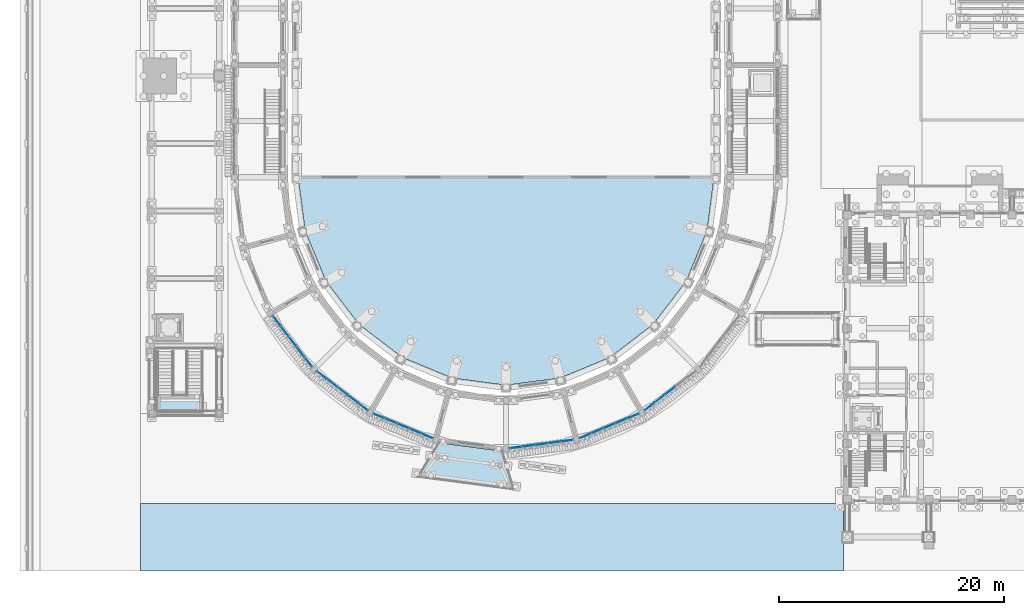
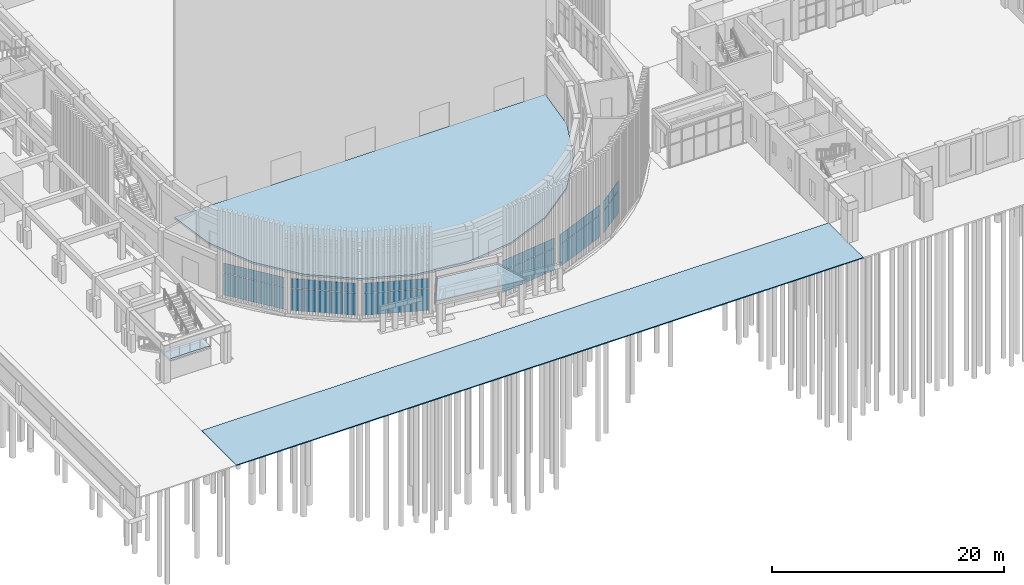
# One storey, part 46 of 112: 56 plates, 4 slabs, 7 elements without a shape of their own.
"""IFC4 building model written with IfcOpenShell, lengths in metres."""

from ifc_helpers import new_model, si_unit, direction, frame, origin, origin_2d, place, context, subcontext, project, spatial, polyline, rectangle, outline, extrude, material, layer, layer_set, type_object, element, aggregate, save


model = new_model("IFC4")

# Units and contexts
model_context = context("Model", 3, precision=1e-05, world=origin(), true_north=direction((0.0, 1.0)))
body_context = subcontext(model_context, "Body", "Model", "MODEL_VIEW")
ifc_project = project(units=[si_unit("LENGTHUNIT", "METRE"), si_unit("AREAUNIT", "SQUARE_METRE"), si_unit("VOLUMEUNIT", "CUBIC_METRE"), si_unit("PLANEANGLEUNIT", "RADIAN"), si_unit("MASSUNIT", "GRAM", prefix="KILO")], contexts=[model_context])

# Site, building, storey
site_placement = place(None, origin())
site = spatial("IfcSite", under=ifc_project, at=site_placement, CompositionType="ELEMENT")
building_placement = place(site_placement, origin())
building = spatial("IfcBuilding", under=site, at=building_placement, Name="Wasatch Bagh Community Centre", CompositionType="ELEMENT")
storey_placement = place(building_placement, origin())
storey = spatial("IfcBuildingStorey", under=building, at=storey_placement, Name="L00", CompositionType="ELEMENT", Elevation=0.0)

# Stair, slab
ifc_material_1 = material(Name="Concrete C35", Category="concrete")
stair_type = type_object("IfcStairType", Name="CT-ST1", PredefinedType="HALF_TURN_STAIR", material=ifc_material_1)
stair_placement = place(storey_placement, origin())
stair = element("IfcStair", 1, at=stair_placement, inside=storey, type_object=stair_type, Name="CS1 stair", PredefinedType="HALF_TURN_STAIR")
ifc_layer_1 = layer(ifc_material_1, 0.199951171875)
ifc_layer_set_1 = layer_set([ifc_layer_1], Name="Concrete C35")
slab_type_1 = type_object("IfcSlabType", Name="CT-SL1", PredefinedType="LANDING", material=ifc_layer_set_1)
slab_1_placement = place(storey_placement, frame((0.0, 0.0, 1.89990234375)))
slab_1 = element("IfcSlab", 2, at=slab_1_placement, type_object=slab_type_1, Name="CS1 landing 1", PredefinedType="LANDING", context=body_context, shape_type="SweptSolid", body=[
    extrude(outline(polyline([(4.949951171875, 14.10009765625), (9.050048828125, 14.10009765625), (9.050048828125, 15.6201171875), (4.949951171875, 15.6201171875), (4.949951171875, 14.10009765625)])), origin(), (0.0, 0.0, 1.0), 0.2001953125),
])
aggregate(stair, [slab_1])

# Curtain wall, plates
ifc_material_2 = material(Name="Aluminium curtain wall frame with low-iron insulated glass", Category="aluminium")
ifc_layer_2 = layer(ifc_material_2, 0.14990234375)
ifc_layer_set_2 = layer_set([ifc_layer_2], Name="Aluminium curtain wall frame with low-iron insulated glass")
curtain_wall_type = type_object("IfcCurtainWallType", Name="Drum curtain wall DR-CW1", PredefinedType="NOTDEFINED", material=ifc_layer_set_2)
curtain_wall_1_placement = place(storey_placement, origin())
curtain_wall_1 = element("IfcCurtainWall", 3, at=curtain_wall_1_placement, inside=storey, type_object=curtain_wall_type, Name="Curtain wall DR-CW1 3", PredefinedType="NOTDEFINED")
ifc_material_3 = material(Name="Low-iron insulated glass", Category="glass")
ifc_layer_3 = layer(ifc_material_3, 0.028076171875)
ifc_layer_set_3 = layer_set([ifc_layer_3], Name="Low-iron insulated glass")
plate_type = type_object("IfcPlateType", Name="Drum glass panel DR-CW1", PredefinedType="CURTAIN_PANEL", material=ifc_layer_set_3)
plate_1_placement = place(storey_placement, frame((15.606201171875, 22.246337890625, 0.06005859375), z_axis=(0.0, 0.0, 1.0), x_axis=(0.608761429133, -0.793353340196, 0.0)))
plate_1 = element("IfcPlate", 4, at=plate_1_placement, type_object=plate_type, Name="DR-CW1 panel 1.1", PredefinedType="CURTAIN_PANEL", context=body_context, shape_type="SweptSolid", body=[
    extrude(rectangle(XDim=1.06591796875, YDim=0.028076171875, at=origin_2d()), origin(), (0.0, 0.0, 1.0), 2.31005859375),
])
plate_2_placement = place(storey_placement, frame((15.606201171875, 22.246337890625, 2.43017578125), z_axis=(0.0, 0.0, 1.0), x_axis=(0.608761429133, -0.793353340196, 0.0)))
plate_2 = element("IfcPlate", 5, at=plate_2_placement, type_object=plate_type, Name="DR-CW1 panel 1.2", PredefinedType="CURTAIN_PANEL", context=body_context, shape_type="SweptSolid", body=[
    extrude(rectangle(XDim=1.06591796875, YDim=0.028076171875, at=origin_2d()), origin(), (0.0, 0.0, 1.0), 1.010009765625),
])
plate_3_placement = place(storey_placement, frame((16.30078125, 21.34130859375, 0.06005859375), z_axis=(0.0, 0.0, 1.0), x_axis=(0.608761429133, -0.793353340196, 0.0)))
plate_3 = element("IfcPlate", 6, at=plate_3_placement, type_object=plate_type, Name="DR-CW1 panel 2.1", PredefinedType="CURTAIN_PANEL", context=body_context, shape_type="SweptSolid", body=[
    extrude(rectangle(XDim=1.095947265625, YDim=0.028076171875, at=origin_2d()), origin(), (0.0, 0.0, 1.0), 2.31005859375),
])
plate_4_placement = place(storey_placement, frame((16.30078125, 21.34130859375, 2.43017578125), z_axis=(0.0, 0.0, 1.0), x_axis=(0.608761429133, -0.793353340196, 0.0)))
plate_4 = element("IfcPlate", 7, at=plate_4_placement, type_object=plate_type, Name="DR-CW1 panel 2.2", PredefinedType="CURTAIN_PANEL", context=body_context, shape_type="SweptSolid", body=[
    extrude(rectangle(XDim=1.095947265625, YDim=0.028076171875, at=origin_2d()), origin(), (0.0, 0.0, 1.0), 1.010009765625),
])
plate_5_placement = place(storey_placement, frame((17.00439453125, 20.424072265625, 0.06005859375), z_axis=(0.0, 0.0, 1.0), x_axis=(0.608761429133, -0.793353340196, 0.0)))
plate_5 = element("IfcPlate", 8, at=plate_5_placement, type_object=plate_type, Name="DR-CW1 panel 3.1", PredefinedType="CURTAIN_PANEL", context=body_context, shape_type="SweptSolid", body=[
    extrude(rectangle(XDim=1.095947265625, YDim=0.028076171875, at=origin_2d()), origin(), (0.0, 0.0, 1.0), 2.31005859375),
])
plate_6_placement = place(storey_placement, frame((17.00439453125, 20.424072265625, 2.43017578125), z_axis=(0.0, 0.0, 1.0), x_axis=(0.608761429133, -0.793353340196, 0.0)))
plate_6 = element("IfcPlate", 9, at=plate_6_placement, type_object=plate_type, Name="DR-CW1 panel 3.2", PredefinedType="CURTAIN_PANEL", context=body_context, shape_type="SweptSolid", body=[
    extrude(rectangle(XDim=1.095947265625, YDim=0.028076171875, at=origin_2d()), origin(), (0.0, 0.0, 1.0), 1.010009765625),
])
plate_7_placement = place(storey_placement, frame((17.7080078125, 19.507080078125, 0.06005859375), z_axis=(0.0, 0.0, 1.0), x_axis=(0.608761429133, -0.793353340196, 0.0)))
plate_7 = element("IfcPlate", 10, at=plate_7_placement, type_object=plate_type, Name="DR-CW1 panel 4.1", PredefinedType="CURTAIN_PANEL", context=body_context, shape_type="SweptSolid", body=[
    extrude(rectangle(XDim=1.095947265625, YDim=0.028076171875, at=origin_2d()), origin(), (0.0, 0.0, 1.0), 2.31005859375),
])
plate_8_placement = place(storey_placement, frame((17.7080078125, 19.507080078125, 2.43017578125), z_axis=(0.0, 0.0, 1.0), x_axis=(0.608761429133, -0.793353340196, 0.0)))
plate_8 = element("IfcPlate", 11, at=plate_8_placement, type_object=plate_type, Name="DR-CW1 panel 4.2", PredefinedType="CURTAIN_PANEL", context=body_context, shape_type="SweptSolid", body=[
    extrude(rectangle(XDim=1.095947265625, YDim=0.028076171875, at=origin_2d()), origin(), (0.0, 0.0, 1.0), 1.010009765625),
])
plate_9_placement = place(storey_placement, frame((18.402587890625, 18.60205078125, 0.06005859375), z_axis=(0.0, 0.0, 1.0), x_axis=(0.608761429133, -0.793353340196, 0.0)))
plate_9 = element("IfcPlate", 12, at=plate_9_placement, type_object=plate_type, Name="DR-CW1 panel 5.1", PredefinedType="CURTAIN_PANEL", context=body_context, shape_type="SweptSolid", body=[
    extrude(rectangle(XDim=1.06591796875, YDim=0.028076171875, at=origin_2d()), origin(), (0.0, 0.0, 1.0), 2.31005859375),
])
plate_10_placement = place(storey_placement, frame((18.402587890625, 18.60205078125, 2.43017578125), z_axis=(0.0, 0.0, 1.0), x_axis=(0.608761429133, -0.793353340196, 0.0)))
plate_10 = element("IfcPlate", 13, at=plate_10_placement, type_object=plate_type, Name="DR-CW1 panel 5.2", PredefinedType="CURTAIN_PANEL", context=body_context, shape_type="SweptSolid", body=[
    extrude(rectangle(XDim=1.06591796875, YDim=0.028076171875, at=origin_2d()), origin(), (0.0, 0.0, 1.0), 1.010009765625),
])
aggregate(curtain_wall_1, [plate_1, plate_2, plate_3, plate_4, plate_5, plate_6, plate_7, plate_8, plate_9, plate_10])

curtain_wall_2_placement = place(storey_placement, origin())
curtain_wall_2 = element("IfcCurtainWall", 14, at=curtain_wall_2_placement, inside=storey, type_object=curtain_wall_type, Name="Curtain wall DR-CW1 4", PredefinedType="NOTDEFINED")
plate_11_placement = place(storey_placement, frame((19.60205078125, 17.402587890625, 0.06005859375), z_axis=(0.0, 0.0, 1.0), x_axis=(0.793353340196, -0.608761429133, 0.0)))
plate_11 = element("IfcPlate", 15, at=plate_11_placement, type_object=plate_type, Name="DR-CW1 panel 1.1", PredefinedType="CURTAIN_PANEL", context=body_context, shape_type="SweptSolid", body=[
    extrude(rectangle(XDim=1.06591796875, YDim=0.028076171875, at=origin_2d()), origin(), (0.0, 0.0, 1.0), 2.31005859375),
])
plate_12_placement = place(storey_placement, frame((19.60205078125, 17.402587890625, 2.43017578125), z_axis=(0.0, 0.0, 1.0), x_axis=(0.793353340196, -0.608761429133, 0.0)))
plate_12 = element("IfcPlate", 16, at=plate_12_placement, type_object=plate_type, Name="DR-CW1 panel 1.2", PredefinedType="CURTAIN_PANEL", context=body_context, shape_type="SweptSolid", body=[
    extrude(rectangle(XDim=1.06591796875, YDim=0.028076171875, at=origin_2d()), origin(), (0.0, 0.0, 1.0), 1.010009765625),
])
plate_13_placement = place(storey_placement, frame((20.507080078125, 16.7080078125, 0.06005859375), z_axis=(0.0, 0.0, 1.0), x_axis=(0.793353340196, -0.608761429133, 0.0)))
plate_13 = element("IfcPlate", 17, at=plate_13_placement, type_object=plate_type, Name="DR-CW1 panel 2.1", PredefinedType="CURTAIN_PANEL", context=body_context, shape_type="SweptSolid", body=[
    extrude(rectangle(XDim=1.095947265625, YDim=0.028076171875, at=origin_2d()), origin(), (0.0, 0.0, 1.0), 2.31005859375),
])
plate_14_placement = place(storey_placement, frame((20.507080078125, 16.7080078125, 2.43017578125), z_axis=(0.0, 0.0, 1.0), x_axis=(0.793353340196, -0.608761429133, 0.0)))
plate_14 = element("IfcPlate", 18, at=plate_14_placement, type_object=plate_type, Name="DR-CW1 panel 2.2", PredefinedType="CURTAIN_PANEL", context=body_context, shape_type="SweptSolid", body=[
    extrude(rectangle(XDim=1.095947265625, YDim=0.028076171875, at=origin_2d()), origin(), (0.0, 0.0, 1.0), 1.010009765625),
])
plate_15_placement = place(storey_placement, frame((21.424072265625, 16.00439453125, 0.06005859375), z_axis=(0.0, 0.0, 1.0), x_axis=(0.793353340196, -0.608761429133, 0.0)))
plate_15 = element("IfcPlate", 19, at=plate_15_placement, type_object=plate_type, Name="DR-CW1 panel 3.1", PredefinedType="CURTAIN_PANEL", context=body_context, shape_type="SweptSolid", body=[
    extrude(rectangle(XDim=1.095947265625, YDim=0.028076171875, at=origin_2d()), origin(), (0.0, 0.0, 1.0), 2.31005859375),
])
plate_16_placement = place(storey_placement, frame((21.424072265625, 16.00439453125, 2.43017578125), z_axis=(0.0, 0.0, 1.0), x_axis=(0.793353340196, -0.608761429133, 0.0)))
plate_16 = element("IfcPlate", 20, at=plate_16_placement, type_object=plate_type, Name="DR-CW1 panel 3.2", PredefinedType="CURTAIN_PANEL", context=body_context, shape_type="SweptSolid", body=[
    extrude(rectangle(XDim=1.095947265625, YDim=0.028076171875, at=origin_2d()), origin(), (0.0, 0.0, 1.0), 1.010009765625),
])
plate_17_placement = place(storey_placement, frame((22.34130859375, 15.30078125, 0.06005859375), z_axis=(0.0, 0.0, 1.0), x_axis=(0.793353340196, -0.608761429133, 0.0)))
plate_17 = element("IfcPlate", 21, at=plate_17_placement, type_object=plate_type, Name="DR-CW1 panel 4.1", PredefinedType="CURTAIN_PANEL", context=body_context, shape_type="SweptSolid", body=[
    extrude(rectangle(XDim=1.095947265625, YDim=0.028076171875, at=origin_2d()), origin(), (0.0, 0.0, 1.0), 2.31005859375),
])
plate_18_placement = place(storey_placement, frame((22.34130859375, 15.30078125, 2.43017578125), z_axis=(0.0, 0.0, 1.0), x_axis=(0.793353340196, -0.608761429133, 0.0)))
plate_18 = element("IfcPlate", 22, at=plate_18_placement, type_object=plate_type, Name="DR-CW1 panel 4.2", PredefinedType="CURTAIN_PANEL", context=body_context, shape_type="SweptSolid", body=[
    extrude(rectangle(XDim=1.095947265625, YDim=0.028076171875, at=origin_2d()), origin(), (0.0, 0.0, 1.0), 1.010009765625),
])
plate_19_placement = place(storey_placement, frame((23.246337890625, 14.606201171875, 0.06005859375), z_axis=(0.0, 0.0, 1.0), x_axis=(0.793353340196, -0.608761429133, 0.0)))
plate_19 = element("IfcPlate", 23, at=plate_19_placement, type_object=plate_type, Name="DR-CW1 panel 5.1", PredefinedType="CURTAIN_PANEL", context=body_context, shape_type="SweptSolid", body=[
    extrude(rectangle(XDim=1.06591796875, YDim=0.028076171875, at=origin_2d()), origin(), (0.0, 0.0, 1.0), 2.31005859375),
])
plate_20_placement = place(storey_placement, frame((23.246337890625, 14.606201171875, 2.43017578125), z_axis=(0.0, 0.0, 1.0), x_axis=(0.793353340196, -0.608761429133, 0.0)))
plate_20 = element("IfcPlate", 24, at=plate_20_placement, type_object=plate_type, Name="DR-CW1 panel 5.2", PredefinedType="CURTAIN_PANEL", context=body_context, shape_type="SweptSolid", body=[
    extrude(rectangle(XDim=1.06591796875, YDim=0.028076171875, at=origin_2d()), origin(), (0.0, 0.0, 1.0), 1.010009765625),
])
aggregate(curtain_wall_2, [plate_11, plate_12, plate_13, plate_14, plate_15, plate_16, plate_17, plate_18, plate_19, plate_20])

curtain_wall_3_placement = place(storey_placement, origin())
curtain_wall_3 = element("IfcCurtainWall", 25, at=curtain_wall_3_placement, inside=storey, type_object=curtain_wall_type, Name="Curtain wall DR-CW1 5", PredefinedType="NOTDEFINED")
plate_21_placement = place(storey_placement, frame((24.71533203125, 13.758056640625, 0.06005859375), z_axis=(0.0, 0.0, 1.0), x_axis=(0.923879532451, -0.38268343251, 0.0)))
plate_21 = element("IfcPlate", 26, at=plate_21_placement, type_object=plate_type, Name="DR-CW1 panel 1.1", PredefinedType="CURTAIN_PANEL", context=body_context, shape_type="SweptSolid", body=[
    extrude(rectangle(XDim=1.06591796875, YDim=0.028076171875, at=origin_2d()), origin(), (0.0, 0.0, 1.0), 2.31005859375),
])
plate_22_placement = place(storey_placement, frame((24.71533203125, 13.758056640625, 2.43017578125), z_axis=(0.0, 0.0, 1.0), x_axis=(0.923879532451, -0.38268343251, 0.0)))
plate_22 = element("IfcPlate", 27, at=plate_22_placement, type_object=plate_type, Name="DR-CW1 panel 1.2", PredefinedType="CURTAIN_PANEL", context=body_context, shape_type="SweptSolid", body=[
    extrude(rectangle(XDim=1.06591796875, YDim=0.028076171875, at=origin_2d()), origin(), (0.0, 0.0, 1.0), 1.010009765625),
])
plate_23_placement = place(storey_placement, frame((25.769287109375, 13.321533203125, 0.06005859375), z_axis=(0.0, 0.0, 1.0), x_axis=(0.923879532451, -0.38268343251, 0.0)))
plate_23 = element("IfcPlate", 28, at=plate_23_placement, type_object=plate_type, Name="DR-CW1 panel 2.1", PredefinedType="CURTAIN_PANEL", context=body_context, shape_type="SweptSolid", body=[
    extrude(rectangle(XDim=1.095947265625, YDim=0.028076171875, at=origin_2d()), origin(), (0.0, 0.0, 1.0), 2.31005859375),
])
plate_24_placement = place(storey_placement, frame((25.769287109375, 13.321533203125, 2.43017578125), z_axis=(0.0, 0.0, 1.0), x_axis=(0.923879532451, -0.38268343251, 0.0)))
plate_24 = element("IfcPlate", 29, at=plate_24_placement, type_object=plate_type, Name="DR-CW1 panel 2.2", PredefinedType="CURTAIN_PANEL", context=body_context, shape_type="SweptSolid", body=[
    extrude(rectangle(XDim=1.095947265625, YDim=0.028076171875, at=origin_2d()), origin(), (0.0, 0.0, 1.0), 1.010009765625),
])
plate_25_placement = place(storey_placement, frame((26.837158203125, 12.879150390625, 0.06005859375), z_axis=(0.0, 0.0, 1.0), x_axis=(0.923879532451, -0.38268343251, 0.0)))
plate_25 = element("IfcPlate", 30, at=plate_25_placement, type_object=plate_type, Name="DR-CW1 panel 3.1", PredefinedType="CURTAIN_PANEL", context=body_context, shape_type="SweptSolid", body=[
    extrude(rectangle(XDim=1.095947265625, YDim=0.028076171875, at=origin_2d()), origin(), (0.0, 0.0, 1.0), 2.31005859375),
])
plate_26_placement = place(storey_placement, frame((26.837158203125, 12.879150390625, 2.43017578125), z_axis=(0.0, 0.0, 1.0), x_axis=(0.923879532451, -0.38268343251, 0.0)))
plate_26 = element("IfcPlate", 31, at=plate_26_placement, type_object=plate_type, Name="DR-CW1 panel 3.2", PredefinedType="CURTAIN_PANEL", context=body_context, shape_type="SweptSolid", body=[
    extrude(rectangle(XDim=1.095947265625, YDim=0.028076171875, at=origin_2d()), origin(), (0.0, 0.0, 1.0), 1.010009765625),
])
plate_27_placement = place(storey_placement, frame((27.905029296875, 12.436767578125, 0.06005859375), z_axis=(0.0, 0.0, 1.0), x_axis=(0.923879532451, -0.38268343251, 0.0)))
plate_27 = element("IfcPlate", 32, at=plate_27_placement, type_object=plate_type, Name="DR-CW1 panel 4.1", PredefinedType="CURTAIN_PANEL", context=body_context, shape_type="SweptSolid", body=[
    extrude(rectangle(XDim=1.095947265625, YDim=0.028076171875, at=origin_2d()), origin(), (0.0, 0.0, 1.0), 2.31005859375),
])
plate_28_placement = place(storey_placement, frame((27.905029296875, 12.436767578125, 2.43017578125), z_axis=(0.0, 0.0, 1.0), x_axis=(0.923879532451, -0.38268343251, 0.0)))
plate_28 = element("IfcPlate", 33, at=plate_28_placement, type_object=plate_type, Name="DR-CW1 panel 4.2", PredefinedType="CURTAIN_PANEL", context=body_context, shape_type="SweptSolid", body=[
    extrude(rectangle(XDim=1.095947265625, YDim=0.028076171875, at=origin_2d()), origin(), (0.0, 0.0, 1.0), 1.010009765625),
])
plate_29_placement = place(storey_placement, frame((28.959228515625, 12.000244140625, 0.06005859375), z_axis=(0.0, 0.0, 1.0), x_axis=(0.923879532451, -0.38268343251, 0.0)))
plate_29 = element("IfcPlate", 34, at=plate_29_placement, type_object=plate_type, Name="DR-CW1 panel 5.1", PredefinedType="CURTAIN_PANEL", context=body_context, shape_type="SweptSolid", body=[
    extrude(rectangle(XDim=1.06591796875, YDim=0.028076171875, at=origin_2d()), origin(), (0.0, 0.0, 1.0), 2.31005859375),
])
plate_30_placement = place(storey_placement, frame((28.959228515625, 12.000244140625, 2.43017578125), z_axis=(0.0, 0.0, 1.0), x_axis=(0.923879532451, -0.38268343251, 0.0)))
plate_30 = element("IfcPlate", 35, at=plate_30_placement, type_object=plate_type, Name="DR-CW1 panel 5.2", PredefinedType="CURTAIN_PANEL", context=body_context, shape_type="SweptSolid", body=[
    extrude(rectangle(XDim=1.06591796875, YDim=0.028076171875, at=origin_2d()), origin(), (0.0, 0.0, 1.0), 1.010009765625),
])
aggregate(curtain_wall_3, [plate_21, plate_22, plate_23, plate_24, plate_25, plate_26, plate_27, plate_28, plate_29, plate_30])

curtain_wall_4_placement = place(storey_placement, origin())
curtain_wall_4 = element("IfcCurtainWall", 36, at=curtain_wall_4_placement, inside=storey, type_object=curtain_wall_type, Name="Curtain wall DR-CW1 7", PredefinedType="NOTDEFINED")
plate_31_placement = place(storey_placement, frame((36.84814453125, 10.961669921875, 0.06005859375), z_axis=(0.0, 0.0, 1.0), x_axis=(0.991444861378, 0.130526192185, 0.0)))
plate_31 = element("IfcPlate", 37, at=plate_31_placement, type_object=plate_type, Name="DR-CW1 panel 1.1", PredefinedType="CURTAIN_PANEL", context=body_context, shape_type="SweptSolid", body=[
    extrude(rectangle(XDim=1.06591796875, YDim=0.028076171875, at=origin_2d()), origin(), (0.0, 0.0, 1.0), 2.31005859375),
])
plate_32_placement = place(storey_placement, frame((36.84814453125, 10.961669921875, 2.43017578125), z_axis=(0.0, 0.0, 1.0), x_axis=(0.991444861378, 0.130526192185, 0.0)))
plate_32 = element("IfcPlate", 38, at=plate_32_placement, type_object=plate_type, Name="DR-CW1 panel 1.2", PredefinedType="CURTAIN_PANEL", context=body_context, shape_type="SweptSolid", body=[
    extrude(rectangle(XDim=1.06591796875, YDim=0.028076171875, at=origin_2d()), origin(), (0.0, 0.0, 1.0), 1.010009765625),
])
plate_33_placement = place(storey_placement, frame((37.979248046875, 11.110595703125, 0.06005859375), z_axis=(0.0, 0.0, 1.0), x_axis=(0.991444861378, 0.130526192185, 0.0)))
plate_33 = element("IfcPlate", 39, at=plate_33_placement, type_object=plate_type, Name="DR-CW1 panel 2.1", PredefinedType="CURTAIN_PANEL", context=body_context, shape_type="SweptSolid", body=[
    extrude(rectangle(XDim=1.095947265625, YDim=0.028076171875, at=origin_2d()), origin(), (0.0, 0.0, 1.0), 2.31005859375),
])
plate_34_placement = place(storey_placement, frame((37.979248046875, 11.110595703125, 2.43017578125), z_axis=(0.0, 0.0, 1.0), x_axis=(0.991444861378, 0.130526192185, 0.0)))
plate_34 = element("IfcPlate", 40, at=plate_34_placement, type_object=plate_type, Name="DR-CW1 panel 2.2", PredefinedType="CURTAIN_PANEL", context=body_context, shape_type="SweptSolid", body=[
    extrude(rectangle(XDim=1.095947265625, YDim=0.028076171875, at=origin_2d()), origin(), (0.0, 0.0, 1.0), 1.010009765625),
])
plate_35_placement = place(storey_placement, frame((39.125244140625, 11.261474609375, 0.06005859375), z_axis=(0.0, 0.0, 1.0), x_axis=(0.991444861378, 0.130526192185, 0.0)))
plate_35 = element("IfcPlate", 41, at=plate_35_placement, type_object=plate_type, Name="DR-CW1 panel 3.1", PredefinedType="CURTAIN_PANEL", context=body_context, shape_type="SweptSolid", body=[
    extrude(rectangle(XDim=1.095947265625, YDim=0.028076171875, at=origin_2d()), origin(), (0.0, 0.0, 1.0), 2.31005859375),
])
plate_36_placement = place(storey_placement, frame((39.125244140625, 11.261474609375, 2.43017578125), z_axis=(0.0, 0.0, 1.0), x_axis=(0.991444861378, 0.130526192185, 0.0)))
plate_36 = element("IfcPlate", 42, at=plate_36_placement, type_object=plate_type, Name="DR-CW1 panel 3.2", PredefinedType="CURTAIN_PANEL", context=body_context, shape_type="SweptSolid", body=[
    extrude(rectangle(XDim=1.095947265625, YDim=0.028076171875, at=origin_2d()), origin(), (0.0, 0.0, 1.0), 1.010009765625),
])
plate_37_placement = place(storey_placement, frame((40.271240234375, 11.412353515625, 0.06005859375), z_axis=(0.0, 0.0, 1.0), x_axis=(0.991444861378, 0.130526192185, 0.0)))
plate_37 = element("IfcPlate", 43, at=plate_37_placement, type_object=plate_type, Name="DR-CW1 panel 4.1", PredefinedType="CURTAIN_PANEL", context=body_context, shape_type="SweptSolid", body=[
    extrude(rectangle(XDim=1.095947265625, YDim=0.028076171875, at=origin_2d()), origin(), (0.0, 0.0, 1.0), 2.31005859375),
])
plate_38_placement = place(storey_placement, frame((40.271240234375, 11.412353515625, 2.43017578125), z_axis=(0.0, 0.0, 1.0), x_axis=(0.991444861378, 0.130526192185, 0.0)))
plate_38 = element("IfcPlate", 44, at=plate_38_placement, type_object=plate_type, Name="DR-CW1 panel 4.2", PredefinedType="CURTAIN_PANEL", context=body_context, shape_type="SweptSolid", body=[
    extrude(rectangle(XDim=1.095947265625, YDim=0.028076171875, at=origin_2d()), origin(), (0.0, 0.0, 1.0), 1.010009765625),
])
plate_39_placement = place(storey_placement, frame((41.40234375, 11.561279296875, 0.06005859375), z_axis=(0.0, 0.0, 1.0), x_axis=(0.991444861378, 0.130526192185, 0.0)))
plate_39 = element("IfcPlate", 45, at=plate_39_placement, type_object=plate_type, Name="DR-CW1 panel 5.1", PredefinedType="CURTAIN_PANEL", context=body_context, shape_type="SweptSolid", body=[
    extrude(rectangle(XDim=1.06591796875, YDim=0.028076171875, at=origin_2d()), origin(), (0.0, 0.0, 1.0), 2.31005859375),
])
plate_40_placement = place(storey_placement, frame((41.40234375, 11.561279296875, 2.43017578125), z_axis=(0.0, 0.0, 1.0), x_axis=(0.991444861378, 0.130526192185, 0.0)))
plate_40 = element("IfcPlate", 46, at=plate_40_placement, type_object=plate_type, Name="DR-CW1 panel 5.2", PredefinedType="CURTAIN_PANEL", context=body_context, shape_type="SweptSolid", body=[
    extrude(rectangle(XDim=1.06591796875, YDim=0.028076171875, at=origin_2d()), origin(), (0.0, 0.0, 1.0), 1.010009765625),
])
aggregate(curtain_wall_4, [plate_31, plate_32, plate_33, plate_34, plate_35, plate_36, plate_37, plate_38, plate_39, plate_40])

curtain_wall_5_placement = place(storey_placement, origin())
curtain_wall_5 = element("IfcCurtainWall", 47, at=curtain_wall_5_placement, inside=storey, type_object=curtain_wall_type, Name="Curtain wall DR-CW1 8", PredefinedType="NOTDEFINED")
plate_41_placement = place(storey_placement, frame((43.040771484375, 12.000244140625, 0.06005859375), z_axis=(0.0, 0.0, 1.0), x_axis=(0.923879532451, 0.38268343251, 0.0)))
plate_41 = element("IfcPlate", 48, at=plate_41_placement, type_object=plate_type, Name="DR-CW1 panel 1.1", PredefinedType="CURTAIN_PANEL", context=body_context, shape_type="SweptSolid", body=[
    extrude(rectangle(XDim=1.06591796875, YDim=0.028076171875, at=origin_2d()), origin(), (0.0, 0.0, 1.0), 2.31005859375),
])
plate_42_placement = place(storey_placement, frame((43.040771484375, 12.000244140625, 2.43017578125), z_axis=(0.0, 0.0, 1.0), x_axis=(0.923879532451, 0.38268343251, 0.0)))
plate_42 = element("IfcPlate", 49, at=plate_42_placement, type_object=plate_type, Name="DR-CW1 panel 1.2", PredefinedType="CURTAIN_PANEL", context=body_context, shape_type="SweptSolid", body=[
    extrude(rectangle(XDim=1.06591796875, YDim=0.028076171875, at=origin_2d()), origin(), (0.0, 0.0, 1.0), 1.010009765625),
])
plate_43_placement = place(storey_placement, frame((44.094970703125, 12.436767578125, 0.06005859375), z_axis=(0.0, 0.0, 1.0), x_axis=(0.923879532451, 0.38268343251, 0.0)))
plate_43 = element("IfcPlate", 50, at=plate_43_placement, type_object=plate_type, Name="DR-CW1 panel 2.1", PredefinedType="CURTAIN_PANEL", context=body_context, shape_type="SweptSolid", body=[
    extrude(rectangle(XDim=1.095947265625, YDim=0.028076171875, at=origin_2d()), origin(), (0.0, 0.0, 1.0), 2.31005859375),
])
plate_44_placement = place(storey_placement, frame((44.094970703125, 12.436767578125, 2.43017578125), z_axis=(0.0, 0.0, 1.0), x_axis=(0.923879532451, 0.38268343251, 0.0)))
plate_44 = element("IfcPlate", 51, at=plate_44_placement, type_object=plate_type, Name="DR-CW1 panel 2.2", PredefinedType="CURTAIN_PANEL", context=body_context, shape_type="SweptSolid", body=[
    extrude(rectangle(XDim=1.095947265625, YDim=0.028076171875, at=origin_2d()), origin(), (0.0, 0.0, 1.0), 1.010009765625),
])
plate_45_placement = place(storey_placement, frame((45.162841796875, 12.879150390625, 0.06005859375), z_axis=(0.0, 0.0, 1.0), x_axis=(0.923879532451, 0.38268343251, 0.0)))
plate_45 = element("IfcPlate", 52, at=plate_45_placement, type_object=plate_type, Name="DR-CW1 panel 3.1", PredefinedType="CURTAIN_PANEL", context=body_context, shape_type="SweptSolid", body=[
    extrude(rectangle(XDim=1.095947265625, YDim=0.028076171875, at=origin_2d()), origin(), (0.0, 0.0, 1.0), 2.31005859375),
])
plate_46_placement = place(storey_placement, frame((45.162841796875, 12.879150390625, 2.43017578125), z_axis=(0.0, 0.0, 1.0), x_axis=(0.923879532451, 0.38268343251, 0.0)))
plate_46 = element("IfcPlate", 53, at=plate_46_placement, type_object=plate_type, Name="DR-CW1 panel 3.2", PredefinedType="CURTAIN_PANEL", context=body_context, shape_type="SweptSolid", body=[
    extrude(rectangle(XDim=1.095947265625, YDim=0.028076171875, at=origin_2d()), origin(), (0.0, 0.0, 1.0), 1.010009765625),
])
plate_47_placement = place(storey_placement, frame((46.230712890625, 13.321533203125, 0.06005859375), z_axis=(0.0, 0.0, 1.0), x_axis=(0.923879532451, 0.38268343251, 0.0)))
plate_47 = element("IfcPlate", 54, at=plate_47_placement, type_object=plate_type, Name="DR-CW1 panel 4.1", PredefinedType="CURTAIN_PANEL", context=body_context, shape_type="SweptSolid", body=[
    extrude(rectangle(XDim=1.095947265625, YDim=0.028076171875, at=origin_2d()), origin(), (0.0, 0.0, 1.0), 2.31005859375),
])
plate_48_placement = place(storey_placement, frame((46.230712890625, 13.321533203125, 2.43017578125), z_axis=(0.0, 0.0, 1.0), x_axis=(0.923879532451, 0.38268343251, 0.0)))
plate_48 = element("IfcPlate", 55, at=plate_48_placement, type_object=plate_type, Name="DR-CW1 panel 4.2", PredefinedType="CURTAIN_PANEL", context=body_context, shape_type="SweptSolid", body=[
    extrude(rectangle(XDim=1.095947265625, YDim=0.028076171875, at=origin_2d()), origin(), (0.0, 0.0, 1.0), 1.010009765625),
])
plate_49_placement = place(storey_placement, frame((47.28466796875, 13.758056640625, 0.06005859375), z_axis=(0.0, 0.0, 1.0), x_axis=(0.923879532451, 0.38268343251, 0.0)))
plate_49 = element("IfcPlate", 56, at=plate_49_placement, type_object=plate_type, Name="DR-CW1 panel 5.1", PredefinedType="CURTAIN_PANEL", context=body_context, shape_type="SweptSolid", body=[
    extrude(rectangle(XDim=1.06591796875, YDim=0.028076171875, at=origin_2d()), origin(), (0.0, 0.0, 1.0), 2.31005859375),
])
plate_50_placement = place(storey_placement, frame((47.28466796875, 13.758056640625, 2.43017578125), z_axis=(0.0, 0.0, 1.0), x_axis=(0.923879532451, 0.38268343251, 0.0)))
plate_50 = element("IfcPlate", 57, at=plate_50_placement, type_object=plate_type, Name="DR-CW1 panel 5.2", PredefinedType="CURTAIN_PANEL", context=body_context, shape_type="SweptSolid", body=[
    extrude(rectangle(XDim=1.06591796875, YDim=0.028076171875, at=origin_2d()), origin(), (0.0, 0.0, 1.0), 1.010009765625),
])
aggregate(curtain_wall_5, [plate_41, plate_42, plate_43, plate_44, plate_45, plate_46, plate_47, plate_48, plate_49, plate_50])

curtain_wall_6_placement = place(storey_placement, origin())
curtain_wall_6 = element("IfcCurtainWall", 58, at=curtain_wall_6_placement, inside=storey, type_object=curtain_wall_type, Name="Curtain wall DR-CW1 9", PredefinedType="NOTDEFINED")
plate_51_placement = place(storey_placement, frame((48.753662109375, 14.606201171875, 0.06005859375), z_axis=(0.0, 0.0, 1.0), x_axis=(0.793353340196, 0.608761429133, 0.0)))
plate_51 = element("IfcPlate", 59, at=plate_51_placement, type_object=plate_type, Name="DR-CW1 panel 1.1", PredefinedType="CURTAIN_PANEL", context=body_context, shape_type="SweptSolid", body=[
    extrude(rectangle(XDim=1.06591796875, YDim=0.028076171875, at=origin_2d()), origin(), (0.0, 0.0, 1.0), 2.31005859375),
])
plate_52_placement = place(storey_placement, frame((48.753662109375, 14.606201171875, 2.43017578125), z_axis=(0.0, 0.0, 1.0), x_axis=(0.793353340196, 0.608761429133, 0.0)))
plate_52 = element("IfcPlate", 60, at=plate_52_placement, type_object=plate_type, Name="DR-CW1 panel 1.2", PredefinedType="CURTAIN_PANEL", context=body_context, shape_type="SweptSolid", body=[
    extrude(rectangle(XDim=1.06591796875, YDim=0.028076171875, at=origin_2d()), origin(), (0.0, 0.0, 1.0), 1.010009765625),
])
plate_53_placement = place(storey_placement, frame((49.65869140625, 15.30078125, 0.06005859375), z_axis=(0.0, 0.0, 1.0), x_axis=(0.793353340196, 0.608761429133, 0.0)))
plate_53 = element("IfcPlate", 61, at=plate_53_placement, type_object=plate_type, Name="DR-CW1 panel 2.1", PredefinedType="CURTAIN_PANEL", context=body_context, shape_type="SweptSolid", body=[
    extrude(rectangle(XDim=1.095947265625, YDim=0.028076171875, at=origin_2d()), origin(), (0.0, 0.0, 1.0), 2.31005859375),
])
plate_54_placement = place(storey_placement, frame((49.65869140625, 15.30078125, 2.43017578125), z_axis=(0.0, 0.0, 1.0), x_axis=(0.793353340196, 0.608761429133, 0.0)))
plate_54 = element("IfcPlate", 62, at=plate_54_placement, type_object=plate_type, Name="DR-CW1 panel 2.2", PredefinedType="CURTAIN_PANEL", context=body_context, shape_type="SweptSolid", body=[
    extrude(rectangle(XDim=1.095947265625, YDim=0.028076171875, at=origin_2d()), origin(), (0.0, 0.0, 1.0), 1.010009765625),
])
plate_55_placement = place(storey_placement, frame((50.575927734375, 16.00439453125, 0.06005859375), z_axis=(0.0, 0.0, 1.0), x_axis=(0.793353340196, 0.608761429133, 0.0)))
plate_55 = element("IfcPlate", 63, at=plate_55_placement, type_object=plate_type, Name="DR-CW1 panel 3.1", PredefinedType="CURTAIN_PANEL", context=body_context, shape_type="SweptSolid", body=[
    extrude(rectangle(XDim=1.095947265625, YDim=0.028076171875, at=origin_2d()), origin(), (0.0, 0.0, 1.0), 2.31005859375),
])
plate_56_placement = place(storey_placement, frame((50.575927734375, 16.00439453125, 2.43017578125), z_axis=(0.0, 0.0, 1.0), x_axis=(0.793353340196, 0.608761429133, 0.0)))
plate_56 = element("IfcPlate", 64, at=plate_56_placement, type_object=plate_type, Name="DR-CW1 panel 3.2", PredefinedType="CURTAIN_PANEL", context=body_context, shape_type="SweptSolid", body=[
    extrude(rectangle(XDim=1.095947265625, YDim=0.028076171875, at=origin_2d()), origin(), (0.0, 0.0, 1.0), 1.010009765625),
])
aggregate(curtain_wall_6, [plate_51, plate_52, plate_53, plate_54, plate_55, plate_56])

# Slabs
ifc_material_4 = material(Name="Concrete C40", Category="concrete")
ifc_layer_4 = layer(ifc_material_4, 0.179931640625)
ifc_layer_set_4 = layer_set([ifc_layer_4], Name="Concrete C40")
slab_type_2 = type_object("IfcSlabType", Name="FD canopy slab 180", PredefinedType="ROOF", material=ifc_layer_set_4)
slab_2_placement = place(storey_placement, frame((0.0, 0.0, 3.300048828125)))
element("IfcSlab", 65, at=slab_2_placement, inside=storey, type_object=slab_type_2, Name="Entrance canopy", PredefinedType="ROOF", context=body_context, shape_type="SweptSolid", body=[
    extrude(outline(polyline([(30.06396484375, 11.37939453125), (35.620361328125, 10.647705078125), (36.640380859375, 7.285888671875), (28.20849609375, 8.39599609375), (30.06396484375, 11.37939453125)])), origin(), (0.0, 0.0, 1.0), 0.179931640625),
])
ifc_material_5 = material(Name="Concrete C30", Category="concrete")
ifc_layer_5 = layer(ifc_material_5, 0.199951171875)
ifc_layer_set_5 = layer_set([ifc_layer_5], Name="Concrete C30")
slab_type_3 = type_object("IfcSlabType", Name="MH slab on grade 200", PredefinedType="BASESLAB", material=ifc_layer_set_5)
slab_3_placement = place(storey_placement, frame((0.0, 0.0, -0.199951171875)))
element("IfcSlab", 66, at=slab_3_placement, inside=storey, type_object=slab_type_3, Name="Capsule slab on grade 1", PredefinedType="BASESLAB", context=body_context, shape_type="SweptSolid", body=[
    extrude(outline(polyline([(53.86279296875, 30.213623046875), (52.01513671875, 25.753662109375), (49.076416015625, 21.923583984375), (45.246337890625, 18.98486328125), (40.786376953125, 17.13720703125), (36.0, 16.507080078125), (31.213623046875, 17.13720703125), (26.753662109375, 18.98486328125), (22.923583984375, 21.923583984375), (19.98486328125, 25.753662109375), (18.13720703125, 30.213623046875), (17.5087890625, 34.987548828125), (54.4912109375, 34.987548828125), (53.86279296875, 30.213623046875)])), origin(), (0.0, 0.0, 1.0), 0.199951171875),
])
ifc_layer_6 = layer(ifc_material_5, 0.10009765625)
ifc_layer_set_6 = layer_set([ifc_layer_6], Name="Concrete C30")
slab_type_4 = type_object("IfcSlabType", Name="SITE-P4", PredefinedType="FLOOR", material=ifc_layer_set_6)
slab_4_placement = place(storey_placement, frame((0.0, 0.0, -0.10009765625)))
element("IfcSlab", 67, at=slab_4_placement, inside=storey, type_object=slab_type_4, Name="Paving - Promenade south link", PredefinedType="FLOOR", context=body_context, shape_type="SweptSolid", body=[
    extrude(outline(polyline([(3.5, 0.0), (3.5, 6.0), (65.97998046875, 6.0), (65.97998046875, 5.97998046875), (66.0, 5.97998046875), (66.0, 0.0), (3.5, 0.0)])), origin(), (0.0, 0.0, 1.0), 0.10009765625),
])

save(model, "model.ifc")
